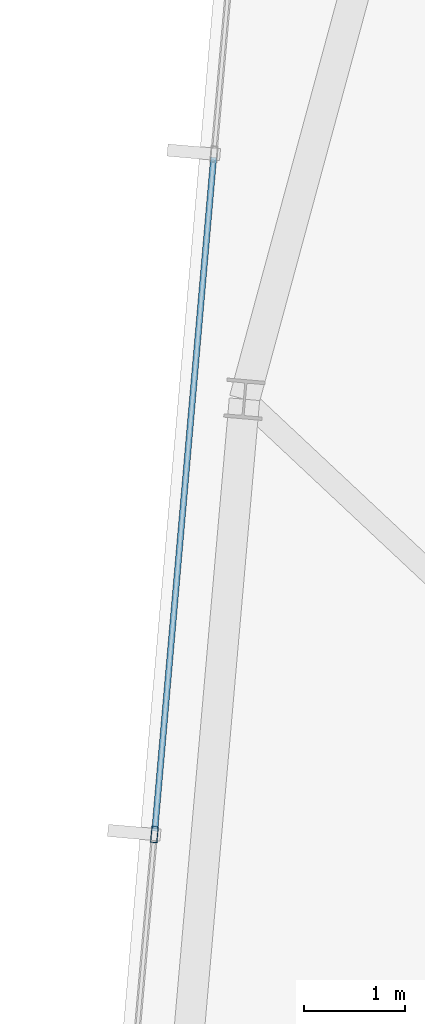
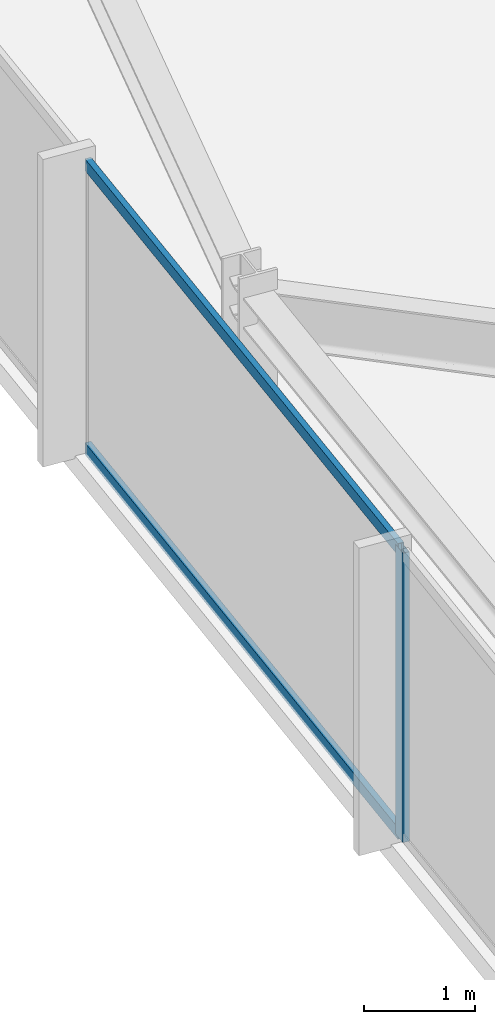
# One storey, part 9 of 32: 3 members, 1 element without a shape of its own.
"""IFC4 building model written with IfcOpenShell, lengths in metres."""

import ifcopenshell
import ifcopenshell.guid

model = None  # the IFC model being written
_history = None  # IfcOwnerHistory: only IFC2X3 demands one
_inside = {}  # id of a spatial element -> (the spatial element, [elements in it])
_under = {}  # id of a project, library or spatial element -> (it, [spatial elements below it])
_declared = {}  # id of a project -> (the project, [libraries it declares])
_typed = {}  # id of a type object -> (the type object, [elements of that type])
_made_of = {}  # id of a material, layer set ... -> (it, [elements and type objects made of it])


def new_model(schema):
    """Start an empty IFC model of exactly this schema.

    Asked for "IFC4X3", IfcOpenShell would pick the latest addendum, in which some entities
    have other attributes; the version numbers below select the first issue.
    IFC2X3 requires an IfcOwnerHistory on every rooted entity: one is made here for all.
    """
    global model, _history
    if schema == "IFC4X3":
        model = ifcopenshell.file(schema_version=(4, 3, 0, 0))
    else:
        model = ifcopenshell.file(schema=schema)
    _inside.clear()
    _under.clear()
    _declared.clear()
    _typed.clear()
    _made_of.clear()
    _history = None
    if model.schema == "IFC2X3":
        org = make("IfcOrganization", Name="unknown")
        user = make(
            "IfcPersonAndOrganization",
            ThePerson=make("IfcPerson", FamilyName="unknown"),
            TheOrganization=org,
        )
        app = make(
            "IfcApplication",
            ApplicationDeveloper=org,
            Version="unknown",
            ApplicationFullName="unknown",
            ApplicationIdentifier="unknown",
        )
        _history = make(
            "IfcOwnerHistory",
            OwningUser=user,
            OwningApplication=app,
            ChangeAction="ADDED",
            CreationDate=0,
        )
    return model


def make(cls, **values):
    """One entity of the class cls with the attributes given. An attribute that is None is left unset."""
    return model.create_entity(
        cls, **{name: value for name, value in values.items() if value is not None}
    )


def rooted(cls, **values):
    """An entity with a GlobalId (a new one), such as an element, a storey or a relation."""
    return make(cls, GlobalId=ifcopenshell.guid.new(), OwnerHistory=_history, **values)


def si_unit(unit_type, name, prefix=None):
    """IfcSIUnit, for example si_unit("LENGTHUNIT", "METRE", prefix="MILLI")."""
    return make("IfcSIUnit", UnitType=unit_type, Prefix=prefix, Name=name)


def assignment(units):
    """IfcUnitAssignment: the units of a project."""
    return None if units is None else make("IfcUnitAssignment", Units=units)


def point(xyz):
    """IfcCartesianPoint."""
    return None if xyz is None else make("IfcCartesianPoint", Coordinates=xyz)


def direction(xyz):
    """IfcDirection."""
    return None if xyz is None else make("IfcDirection", DirectionRatios=xyz)


def frame(location, z_axis=None, x_axis=None):
    """IfcAxis2Placement3D, a coordinate frame: its origin and axes. An axis left out is left unset."""
    return make(
        "IfcAxis2Placement3D",
        Location=point(location),
        Axis=direction(z_axis),
        RefDirection=direction(x_axis),
    )


def frame_2d(location, x_axis=None):
    """IfcAxis2Placement2D, a coordinate frame in the plane: its origin and x axis."""
    return make(
        "IfcAxis2Placement2D", Location=point(location), RefDirection=direction(x_axis)
    )


def origin():
    """The frame at (0, 0, 0) with its axes left unset."""
    return frame((0.0, 0.0, 0.0))


def origin_2d():
    """The frame at (0, 0) in the plane with its x axis left unset."""
    return frame_2d((0.0, 0.0))


def place(relative_to, where):
    """IfcLocalPlacement: puts the frame where relative to a parent placement (None: the world)."""
    return make(
        "IfcLocalPlacement", PlacementRelTo=relative_to, RelativePlacement=where
    )


def context(
    kind, dimensions, precision=None, world=None, true_north=None, identifier=None
):
    """IfcGeometricRepresentationContext, for example the 3D "Model" context."""
    return make(
        "IfcGeometricRepresentationContext",
        ContextIdentifier=identifier,
        ContextType=kind,
        CoordinateSpaceDimension=dimensions,
        Precision=precision,
        WorldCoordinateSystem=world,
        TrueNorth=true_north,
    )


def subcontext(parent, identifier, kind, view, scale=None):
    """IfcGeometricRepresentationSubContext, for example "Body" below "Model"."""
    return make(
        "IfcGeometricRepresentationSubContext",
        ContextIdentifier=identifier,
        ContextType=kind,
        ParentContext=parent,
        TargetScale=scale,
        TargetView=view,
    )


def project(units=None, contexts=None):
    """IfcProject with its units and contexts."""
    return rooted(
        "IfcProject",
        Name="project",
        RepresentationContexts=contexts,
        UnitsInContext=assignment(units),
    )


def spatial(cls, under=None, at=None, **own):
    """A site, building, storey or space (cls), placed at a placement, below another one or the project."""
    s = rooted(cls, ObjectPlacement=at, **own)
    if under is not None:
        _under.setdefault(under.id(), (under, []))[1].append(s)
    return s


def profile(cls, at=None, kind="AREA", **sizes):
    """A parametric profile (cls). Its sizes go by their IFC names, for example OverallWidth=200.0."""
    return make(cls, ProfileType=kind, Position=at, **sizes)


def hollow_rectangle(**sizes):
    """IfcRectangleHollowProfileDef."""
    return profile("IfcRectangleHollowProfileDef", **sizes)


def extrude(swept, where, along, depth):
    """IfcExtrudedAreaSolid: the profile swept, set in the frame where, extruded along a direction by depth."""
    return make(
        "IfcExtrudedAreaSolid",
        SweptArea=swept,
        Position=where,
        ExtrudedDirection=direction(along),
        Depth=depth,
    )


def shape(context_of_items, identifier, shape_type, items):
    """IfcShapeRepresentation: the items that make up one representation, for example the "Body"."""
    return make(
        "IfcShapeRepresentation",
        ContextOfItems=context_of_items,
        RepresentationIdentifier=identifier,
        RepresentationType=shape_type,
        Items=items,
    )


def material(Name=None, Category=None):
    """IfcMaterial."""
    return make("IfcMaterial", Name=Name, Category=Category)


def material_profile(
    of_material, cross_section, Name=None, Category=None, Priority=None
):
    """IfcMaterialProfile: a cross section and its material."""
    return make(
        "IfcMaterialProfile",
        Name=Name,
        Material=of_material,
        Profile=cross_section,
        Priority=Priority,
        Category=Category,
    )


def profile_set(profiles, Name=None, composite=None):
    """IfcMaterialProfileSet."""
    return make(
        "IfcMaterialProfileSet",
        Name=Name,
        MaterialProfiles=profiles,
        CompositeProfile=composite,
    )


def made_of(thing, what):
    """Note that an element or type object is made of a material, layer set ...; save() writes the relation."""
    if what is not None:
        _made_of.setdefault(what.id(), (what, []))[1].append(thing)
    return thing


def type_object(cls, material=None, **own):
    """A type object (cls), such as IfcWallType, which elements share."""
    return made_of(rooted(cls, **own), material)


def element(
    cls,
    number,
    at=None,
    inside=None,
    cuts=None,
    type_object=None,
    material=None,
    context=None,
    identifier="Body",
    shape_type=None,
    held_by="IfcProductDefinitionShape",
    body=None,
    shapes=None,
    **own,
):
    """One element of the class cls, such as IfcWall. Its Tag is "e" and its number.

    at: its placement. inside: the storey or other place that contains it. cuts: it is an
    opening in that element (IfcRelVoidsElement). A single representation is given by context,
    identifier, shape_type and body (its items); several are given by shapes. held_by: the class
    of the entity that holds the representations. save() writes the other relations.
    """
    e = rooted(cls, Tag="e%d" % number, ObjectPlacement=at, **own)
    if body is not None:
        shapes = [shape(context, identifier, shape_type, body)]
    if shapes is not None:
        e.Representation = make(held_by, Representations=shapes)
    if inside is not None:
        _inside.setdefault(inside.id(), (inside, []))[1].append(e)
    if cuts is not None:
        rooted(
            "IfcRelVoidsElement", RelatingBuildingElement=cuts, RelatedOpeningElement=e
        )
    if type_object is not None:
        _typed.setdefault(type_object.id(), (type_object, []))[1].append(e)
    return made_of(e, material)


def aggregate(whole, parts):
    """IfcRelAggregates: a whole, such as a stair, and the parts it consists of."""
    return rooted("IfcRelAggregates", RelatingObject=whole, RelatedObjects=parts)


def save(model, path):
    """Write the relations noted so far, then the file.

    IfcRelAggregates (storeys below a building ...), IfcRelContainedInSpatialStructure (elements
    in a storey), IfcRelDefinesByType, IfcRelAssociatesMaterial and IfcRelDeclares: one each for
    every whole, place, type object, material and project.
    """
    for whole, parts in _under.values():
        aggregate(whole, parts)
    for where, things in _inside.values():
        rooted(
            "IfcRelContainedInSpatialStructure",
            RelatedElements=things,
            RelatingStructure=where,
        )
    for kind, things in _typed.values():
        rooted("IfcRelDefinesByType", RelatedObjects=things, RelatingType=kind)
    for what, things in _made_of.values():
        rooted("IfcRelAssociatesMaterial", RelatedObjects=things, RelatingMaterial=what)
    for by, libraries in _declared.values():
        rooted("IfcRelDeclares", RelatingContext=by, RelatedDefinitions=libraries)
    model.write(path)


model = new_model("IFC4")

# Units and contexts
model_context = context("Model", 3, precision=1e-05, world=origin(), true_north=direction((0.0, 1.0)))
body_context = subcontext(model_context, "Body", "Model", "MODEL_VIEW")
ifc_project = project(units=[si_unit("LENGTHUNIT", "METRE"), si_unit("AREAUNIT", "SQUARE_METRE"), si_unit("VOLUMEUNIT", "CUBIC_METRE"), si_unit("PLANEANGLEUNIT", "RADIAN"), si_unit("MASSUNIT", "GRAM", prefix="KILO")], contexts=[model_context])

# Site, building, storey
site_placement = place(None, origin())
site = spatial("IfcSite", under=ifc_project, at=site_placement, CompositionType="ELEMENT")
building_placement = place(site_placement, origin())
building = spatial("IfcBuilding", under=site, at=building_placement, Name="Yelkora Congress Tower", CompositionType="ELEMENT")
storey_placement = place(building_placement, frame((0.0, 0.0, 279.5)))
storey = spatial("IfcBuildingStorey", under=building, at=storey_placement, Name="L78", CompositionType="ELEMENT", Elevation=279.5)

# Curtain wall, members
ifc_material_1 = material(Name="Anodised aluminium and insulated glass", Category="aluminium")
curtain_wall_type = type_object("IfcCurtainWallType", Name="CW-SYS-B5", PredefinedType="NOTDEFINED", material=ifc_material_1)
curtain_wall_placement = place(storey_placement, origin())
curtain_wall = element("IfcCurtainWall", 1, at=curtain_wall_placement, inside=storey, type_object=curtain_wall_type, Name="L78 Unitised Curtain Wall 5", PredefinedType="NOTDEFINED")
ifc_material_2 = material(Name="Anodised aluminium 6063-T6", Category="aluminium")
ifc_material_profile_1 = material_profile(ifc_material_2, hollow_rectangle(XDim=0.06494140625, YDim=0.159912109375, WallThickness=0.00390625, at=origin_2d()), Name="ALU 65x160x4")
ifc_profile_set_1 = profile_set([ifc_material_profile_1], Name="Anodised aluminium 6063-T6")
member_type_1 = type_object("IfcMemberType", Name="MEM-ML-B5", PredefinedType="MULLION", material=ifc_profile_set_1)
member_1_placement = place(storey_placement, frame((6.900146484375, 35.200927734375, 0.0), z_axis=(0.0, 0.0, 1.0), x_axis=(-0.996194785929, 0.08715473876, 0.0)))
member_1 = element("IfcMember", 2, at=member_1_placement, type_object=member_type_1, Name="CW-B5 mullion 3", PredefinedType="MULLION", context=body_context, shape_type="SweptSolid", body=[
    extrude(hollow_rectangle(XDim=0.06494140625, YDim=0.159912109375, WallThickness=0.00390625, at=origin_2d()), origin(), (0.0, 0.0, 1.0), 3.179931640625),
])
ifc_material_profile_2 = material_profile(ifc_material_2, hollow_rectangle(XDim=0.06005859375, YDim=0.1298828125, WallThickness=0.00390625, at=origin_2d()), Name="ALU 60x130x4")
ifc_profile_set_2 = profile_set([ifc_material_profile_2], Name="Anodised aluminium 6063-T6")
member_type_2 = type_object("IfcMemberType", Name="MEM-TR-B5", PredefinedType="USERDEFINED", material=ifc_profile_set_2)
member_2_placement = place(storey_placement, frame((6.903076171875, 35.2333984375, 0.030029296875), z_axis=(0.087143321513, 0.996195784731, 0.0), x_axis=(-0.996195784731, 0.087143321513, 0.0)))
member_2 = element("IfcMember", 3, at=member_2_placement, type_object=member_type_2, Name="CW-B5 transom 3.1", ObjectType="TRANSOM", PredefinedType="USERDEFINED", context=body_context, shape_type="SweptSolid", body=[
    extrude(hollow_rectangle(XDim=0.06005859375, YDim=0.1298828125, WallThickness=0.00390625, at=origin_2d()), origin(), (0.0, 0.0, 1.0), 6.6650390625),
])
member_3_placement = place(storey_placement, frame((6.903076171875, 35.2333984375, 3.14990234375), z_axis=(0.087143321513, 0.996195784731, 0.0), x_axis=(-0.996195784731, 0.087143321513, 0.0)))
member_3 = element("IfcMember", 4, at=member_3_placement, type_object=member_type_2, Name="CW-B5 transom 3.2", ObjectType="TRANSOM", PredefinedType="USERDEFINED", context=body_context, shape_type="SweptSolid", body=[
    extrude(hollow_rectangle(XDim=0.06005859375, YDim=0.1298828125, WallThickness=0.00390625, at=origin_2d()), origin(), (0.0, 0.0, 1.0), 6.6650390625),
])
aggregate(curtain_wall, [member_1, member_2, member_3])

save(model, "model.ifc")
